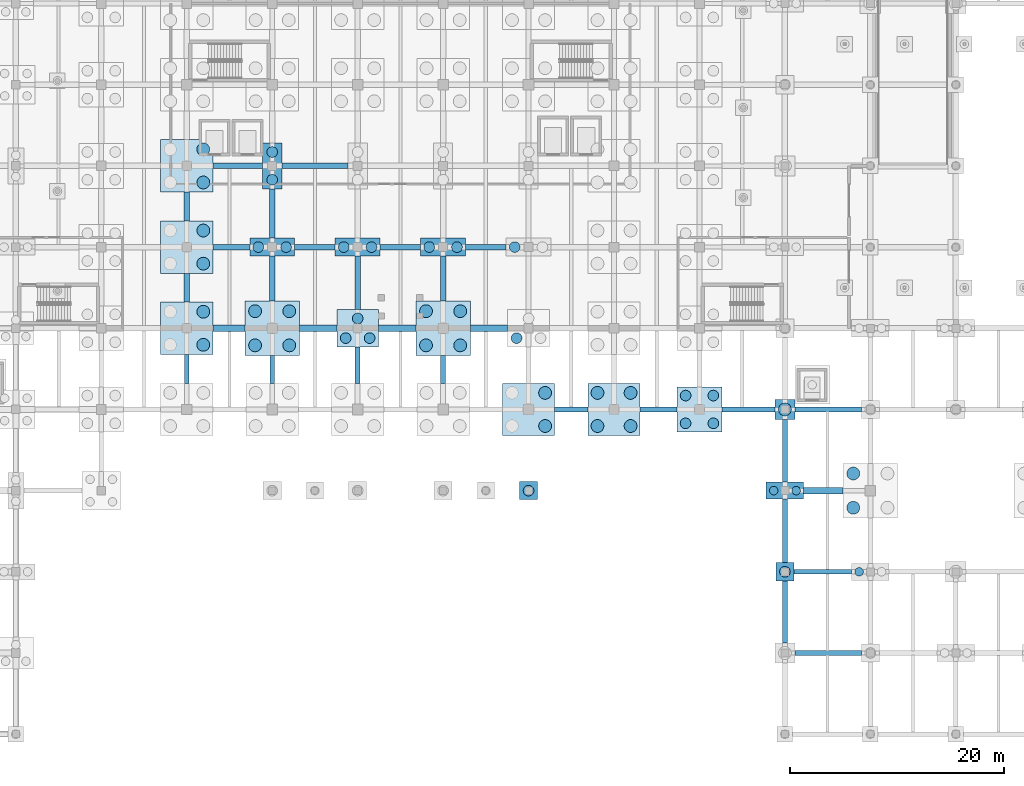
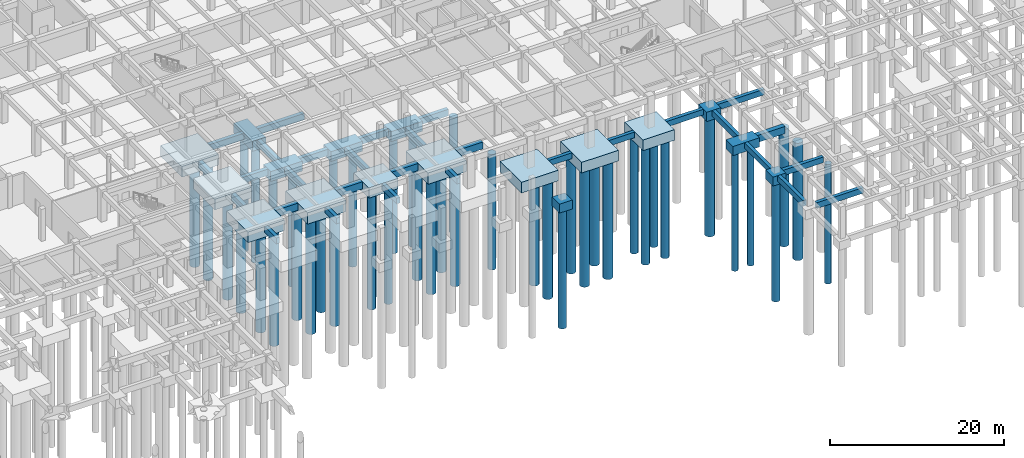
# One storey, part 5 of 49: 47 footings, 45 piles.
"""IFC4 building model written with IfcOpenShell, lengths in metres."""

import ifcopenshell
import ifcopenshell.guid

model = None  # the IFC model being written
_history = None  # IfcOwnerHistory: only IFC2X3 demands one
_inside = {}  # id of a spatial element -> (the spatial element, [elements in it])
_under = {}  # id of a project, library or spatial element -> (it, [spatial elements below it])
_declared = {}  # id of a project -> (the project, [libraries it declares])
_typed = {}  # id of a type object -> (the type object, [elements of that type])
_made_of = {}  # id of a material, layer set ... -> (it, [elements and type objects made of it])


def new_model(schema):
    """Start an empty IFC model of exactly this schema.

    Asked for "IFC4X3", IfcOpenShell would pick the latest addendum, in which some entities
    have other attributes; the version numbers below select the first issue.
    IFC2X3 requires an IfcOwnerHistory on every rooted entity: one is made here for all.
    """
    global model, _history
    if schema == "IFC4X3":
        model = ifcopenshell.file(schema_version=(4, 3, 0, 0))
    else:
        model = ifcopenshell.file(schema=schema)
    _inside.clear()
    _under.clear()
    _declared.clear()
    _typed.clear()
    _made_of.clear()
    _history = None
    if model.schema == "IFC2X3":
        org = make("IfcOrganization", Name="unknown")
        user = make(
            "IfcPersonAndOrganization",
            ThePerson=make("IfcPerson", FamilyName="unknown"),
            TheOrganization=org,
        )
        app = make(
            "IfcApplication",
            ApplicationDeveloper=org,
            Version="unknown",
            ApplicationFullName="unknown",
            ApplicationIdentifier="unknown",
        )
        _history = make(
            "IfcOwnerHistory",
            OwningUser=user,
            OwningApplication=app,
            ChangeAction="ADDED",
            CreationDate=0,
        )
    return model


def make(cls, **values):
    """One entity of the class cls with the attributes given. An attribute that is None is left unset."""
    return model.create_entity(
        cls, **{name: value for name, value in values.items() if value is not None}
    )


def rooted(cls, **values):
    """An entity with a GlobalId (a new one), such as an element, a storey or a relation."""
    return make(cls, GlobalId=ifcopenshell.guid.new(), OwnerHistory=_history, **values)


def si_unit(unit_type, name, prefix=None):
    """IfcSIUnit, for example si_unit("LENGTHUNIT", "METRE", prefix="MILLI")."""
    return make("IfcSIUnit", UnitType=unit_type, Prefix=prefix, Name=name)


def assignment(units):
    """IfcUnitAssignment: the units of a project."""
    return None if units is None else make("IfcUnitAssignment", Units=units)


def point(xyz):
    """IfcCartesianPoint."""
    return None if xyz is None else make("IfcCartesianPoint", Coordinates=xyz)


def direction(xyz):
    """IfcDirection."""
    return None if xyz is None else make("IfcDirection", DirectionRatios=xyz)


def frame(location, z_axis=None, x_axis=None):
    """IfcAxis2Placement3D, a coordinate frame: its origin and axes. An axis left out is left unset."""
    return make(
        "IfcAxis2Placement3D",
        Location=point(location),
        Axis=direction(z_axis),
        RefDirection=direction(x_axis),
    )


def frame_2d(location, x_axis=None):
    """IfcAxis2Placement2D, a coordinate frame in the plane: its origin and x axis."""
    return make(
        "IfcAxis2Placement2D", Location=point(location), RefDirection=direction(x_axis)
    )


def origin():
    """The frame at (0, 0, 0) with its axes left unset."""
    return frame((0.0, 0.0, 0.0))


def origin_2d():
    """The frame at (0, 0) in the plane with its x axis left unset."""
    return frame_2d((0.0, 0.0))


def place(relative_to, where):
    """IfcLocalPlacement: puts the frame where relative to a parent placement (None: the world)."""
    return make(
        "IfcLocalPlacement", PlacementRelTo=relative_to, RelativePlacement=where
    )


def context(
    kind, dimensions, precision=None, world=None, true_north=None, identifier=None
):
    """IfcGeometricRepresentationContext, for example the 3D "Model" context."""
    return make(
        "IfcGeometricRepresentationContext",
        ContextIdentifier=identifier,
        ContextType=kind,
        CoordinateSpaceDimension=dimensions,
        Precision=precision,
        WorldCoordinateSystem=world,
        TrueNorth=true_north,
    )


def subcontext(parent, identifier, kind, view, scale=None):
    """IfcGeometricRepresentationSubContext, for example "Body" below "Model"."""
    return make(
        "IfcGeometricRepresentationSubContext",
        ContextIdentifier=identifier,
        ContextType=kind,
        ParentContext=parent,
        TargetScale=scale,
        TargetView=view,
    )


def project(units=None, contexts=None):
    """IfcProject with its units and contexts."""
    return rooted(
        "IfcProject",
        Name="project",
        RepresentationContexts=contexts,
        UnitsInContext=assignment(units),
    )


def spatial(cls, under=None, at=None, **own):
    """A site, building, storey or space (cls), placed at a placement, below another one or the project."""
    s = rooted(cls, ObjectPlacement=at, **own)
    if under is not None:
        _under.setdefault(under.id(), (under, []))[1].append(s)
    return s


def profile(cls, at=None, kind="AREA", **sizes):
    """A parametric profile (cls). Its sizes go by their IFC names, for example OverallWidth=200.0."""
    return make(cls, ProfileType=kind, Position=at, **sizes)


def rectangle(**sizes):
    """IfcRectangleProfileDef."""
    return profile("IfcRectangleProfileDef", **sizes)


def circle(**sizes):
    """IfcCircleProfileDef."""
    return profile("IfcCircleProfileDef", **sizes)


def extrude(swept, where, along, depth):
    """IfcExtrudedAreaSolid: the profile swept, set in the frame where, extruded along a direction by depth."""
    return make(
        "IfcExtrudedAreaSolid",
        SweptArea=swept,
        Position=where,
        ExtrudedDirection=direction(along),
        Depth=depth,
    )


def shape(context_of_items, identifier, shape_type, items):
    """IfcShapeRepresentation: the items that make up one representation, for example the "Body"."""
    return make(
        "IfcShapeRepresentation",
        ContextOfItems=context_of_items,
        RepresentationIdentifier=identifier,
        RepresentationType=shape_type,
        Items=items,
    )


def material(Name=None, Category=None):
    """IfcMaterial."""
    return make("IfcMaterial", Name=Name, Category=Category)


def layer(
    of_material, thickness, ventilated=None, Name=None, Category=None, Priority=None
):
    """IfcMaterialLayer: one layer of a wall or slab, of a material (None: an air gap)."""
    return make(
        "IfcMaterialLayer",
        Material=of_material,
        LayerThickness=thickness,
        IsVentilated=ventilated,
        Name=Name,
        Category=Category,
        Priority=Priority,
    )


def layer_set(layers, Name=None):
    """IfcMaterialLayerSet."""
    return make("IfcMaterialLayerSet", MaterialLayers=layers, LayerSetName=Name)


def material_profile(
    of_material, cross_section, Name=None, Category=None, Priority=None
):
    """IfcMaterialProfile: a cross section and its material."""
    return make(
        "IfcMaterialProfile",
        Name=Name,
        Material=of_material,
        Profile=cross_section,
        Priority=Priority,
        Category=Category,
    )


def profile_set(profiles, Name=None, composite=None):
    """IfcMaterialProfileSet."""
    return make(
        "IfcMaterialProfileSet",
        Name=Name,
        MaterialProfiles=profiles,
        CompositeProfile=composite,
    )


def made_of(thing, what):
    """Note that an element or type object is made of a material, layer set ...; save() writes the relation."""
    if what is not None:
        _made_of.setdefault(what.id(), (what, []))[1].append(thing)
    return thing


def type_object(cls, material=None, **own):
    """A type object (cls), such as IfcWallType, which elements share."""
    return made_of(rooted(cls, **own), material)


def element(
    cls,
    number,
    at=None,
    inside=None,
    cuts=None,
    type_object=None,
    material=None,
    context=None,
    identifier="Body",
    shape_type=None,
    held_by="IfcProductDefinitionShape",
    body=None,
    shapes=None,
    **own,
):
    """One element of the class cls, such as IfcWall. Its Tag is "e" and its number.

    at: its placement. inside: the storey or other place that contains it. cuts: it is an
    opening in that element (IfcRelVoidsElement). A single representation is given by context,
    identifier, shape_type and body (its items); several are given by shapes. held_by: the class
    of the entity that holds the representations. save() writes the other relations.
    """
    e = rooted(cls, Tag="e%d" % number, ObjectPlacement=at, **own)
    if body is not None:
        shapes = [shape(context, identifier, shape_type, body)]
    if shapes is not None:
        e.Representation = make(held_by, Representations=shapes)
    if inside is not None:
        _inside.setdefault(inside.id(), (inside, []))[1].append(e)
    if cuts is not None:
        rooted(
            "IfcRelVoidsElement", RelatingBuildingElement=cuts, RelatedOpeningElement=e
        )
    if type_object is not None:
        _typed.setdefault(type_object.id(), (type_object, []))[1].append(e)
    return made_of(e, material)


def aggregate(whole, parts):
    """IfcRelAggregates: a whole, such as a stair, and the parts it consists of."""
    return rooted("IfcRelAggregates", RelatingObject=whole, RelatedObjects=parts)


def save(model, path):
    """Write the relations noted so far, then the file.

    IfcRelAggregates (storeys below a building ...), IfcRelContainedInSpatialStructure (elements
    in a storey), IfcRelDefinesByType, IfcRelAssociatesMaterial and IfcRelDeclares: one each for
    every whole, place, type object, material and project.
    """
    for whole, parts in _under.values():
        aggregate(whole, parts)
    for where, things in _inside.values():
        rooted(
            "IfcRelContainedInSpatialStructure",
            RelatedElements=things,
            RelatingStructure=where,
        )
    for kind, things in _typed.values():
        rooted("IfcRelDefinesByType", RelatedObjects=things, RelatingType=kind)
    for what, things in _made_of.values():
        rooted("IfcRelAssociatesMaterial", RelatedObjects=things, RelatingMaterial=what)
    for by, libraries in _declared.values():
        rooted("IfcRelDeclares", RelatingContext=by, RelatedDefinitions=libraries)
    model.write(path)


model = new_model("IFC4")

# Units and contexts
model_context = context("Model", 3, precision=1e-05, world=origin(), true_north=direction((0.0, 1.0)))
body_context = subcontext(model_context, "Body", "Model", "MODEL_VIEW")
ifc_project = project(units=[si_unit("LENGTHUNIT", "METRE"), si_unit("AREAUNIT", "SQUARE_METRE"), si_unit("VOLUMEUNIT", "CUBIC_METRE"), si_unit("PLANEANGLEUNIT", "RADIAN"), si_unit("MASSUNIT", "GRAM", prefix="KILO")], contexts=[model_context])

# Site, building, storey
site_placement = place(None, origin())
site = spatial("IfcSite", under=ifc_project, at=site_placement, CompositionType="ELEMENT")
building_placement = place(site_placement, origin())
building = spatial("IfcBuilding", under=site, at=building_placement, Name="Zantavel Square City Hall", CompositionType="ELEMENT")
storey_placement = place(building_placement, frame((0.0, 0.0, -4.5)))
storey = spatial("IfcBuildingStorey", under=building, at=storey_placement, Name="B1", CompositionType="ELEMENT", Elevation=-4.5)

# Piles
ifc_material_1 = material(Name="Concrete C35/45", Category="concrete")
ifc_material_profile_1 = material_profile(ifc_material_1, circle(Radius=0.5, at=origin_2d()), Name="PILE D1000")
ifc_profile_set_1 = profile_set([ifc_material_profile_1], Name="Concrete C35/45")
pile_type_1 = type_object("IfcPileType", Name="Bored Pile D1000 Concrete C35/45", PredefinedType="BORED", material=ifc_profile_set_1)
for number, where, z_axis, x_axis, name in (
    (1, (70.699951171875, 45.60009765625, -1.699951171875), (0.0, 0.0, -1.0), (1.0, 0.0, 0.0), "Bored Pile FDN-PL-0720-0456-1"),
    (2, (73.300048828125, 45.60009765625, -1.699951171875), (0.0, 0.0, -1.0), (1.0, 0.0, 0.0), "Bored Pile FDN-PL-0720-0456-2"),
    (3, (72.0, 51.89990234375, -1.699951171875), (0.0, 0.0, -1.0), (1.0, 0.0, 0.0), "Bored Pile FDN-PL-0720-0532-1"),
    (4, (72.0, 54.5, -1.699951171875), (0.0, 0.0, -1.0), (1.0, 0.0, 0.0), "Bored Pile FDN-PL-0720-0532-2"),
):
    element("IfcPile", number, at=place(storey_placement, frame(where, z_axis=z_axis, x_axis=x_axis)), inside=storey, type_object=pile_type_1, Name=name, PredefinedType="BORED", context=body_context, shape_type="SweptSolid", body=[
        extrude(circle(Radius=0.5, at=origin_2d()), origin(), (0.0, 0.0, 1.0), 16.300048828125),
    ])
for number, where, z_axis, x_axis, name in (
    (5, (78.8798828125, 37.080078125, -1.75), (0.0, 0.0, -1.0), (1.0, 0.0, 0.0), "Bored Pile FDN-PL-0800-0380-1"),
    (6, (81.1201171875, 37.080078125, -1.75), (0.0, 0.0, -1.0), (1.0, 0.0, 0.0), "Bored Pile FDN-PL-0800-0380-2"),
    (7, (80.0, 38.919921875, -1.75), (0.0, 0.0, -1.0), (1.0, 0.0, 0.0), "Bored Pile FDN-PL-0800-0380-3"),
):
    element("IfcPile", number, at=place(storey_placement, frame(where, z_axis=z_axis, x_axis=x_axis)), inside=storey, type_object=pile_type_1, Name=name, PredefinedType="BORED", context=body_context, shape_type="SweptSolid", body=[
        extrude(circle(Radius=0.5, at=origin_2d()), origin(), (0.0, 0.0, 1.0), 16.25),
    ])
for number, where, z_axis, x_axis, name in (
    (8, (78.699951171875, 45.60009765625, -1.699951171875), (0.0, 0.0, -1.0), (1.0, 0.0, 0.0), "Bored Pile FDN-PL-0800-0456-1"),
    (9, (81.300048828125, 45.60009765625, -1.699951171875), (0.0, 0.0, -1.0), (1.0, 0.0, 0.0), "Bored Pile FDN-PL-0800-0456-2"),
    (10, (86.699951171875, 45.60009765625, -1.699951171875), (0.0, 0.0, -1.0), (1.0, 0.0, 0.0), "Bored Pile FDN-PL-0880-0456-1"),
    (11, (89.300048828125, 45.60009765625, -1.699951171875), (0.0, 0.0, -1.0), (1.0, 0.0, 0.0), "Bored Pile FDN-PL-0880-0456-2"),
):
    element("IfcPile", number, at=place(storey_placement, frame(where, z_axis=z_axis, x_axis=x_axis)), inside=storey, type_object=pile_type_1, Name=name, PredefinedType="BORED", context=body_context, shape_type="SweptSolid", body=[
        extrude(circle(Radius=0.5, at=origin_2d()), origin(), (0.0, 0.0, 1.0), 16.300048828125),
    ])
pile_1_placement = place(storey_placement, frame((94.8798828125, 37.080078125, -1.75), z_axis=(0.0, 0.0, -1.0), x_axis=(1.0, 0.0, 0.0)))
element("IfcPile", 12, at=pile_1_placement, inside=storey, type_object=pile_type_1, Name="Bored Pile FDN-PL-0960-0380-1", PredefinedType="BORED", context=body_context, shape_type="SweptSolid", body=[
    extrude(circle(Radius=0.5, at=origin_2d()), origin(), (0.0, 0.0, 1.0), 16.25),
])
pile_2_placement = place(storey_placement, frame((94.699951171875, 45.60009765625, -1.699951171875), z_axis=(0.0, 0.0, -1.0), x_axis=(1.0, 0.0, 0.0)))
element("IfcPile", 13, at=pile_2_placement, inside=storey, type_object=pile_type_1, Name="Bored Pile FDN-PL-0960-0456-1", PredefinedType="BORED", context=body_context, shape_type="SweptSolid", body=[
    extrude(circle(Radius=0.5, at=origin_2d()), origin(), (0.0, 0.0, 1.0), 16.300048828125),
])
for number, where, z_axis, x_axis, name in (
    (14, (110.699951171875, 29.10009765625, -1.39990234375), (0.0, 0.0, -1.0), (1.0, 0.0, 0.0), "Bored Pile FDN-PL-1120-0304-1"),
    (15, (113.300048828125, 29.10009765625, -1.39990234375), (0.0, 0.0, -1.0), (1.0, 0.0, 0.0), "Bored Pile FDN-PL-1120-0304-2"),
    (16, (110.699951171875, 31.699951171875, -1.39990234375), (0.0, 0.0, -1.0), (1.0, 0.0, 0.0), "Bored Pile FDN-PL-1120-0304-3"),
    (17, (113.300048828125, 31.699951171875, -1.39990234375), (0.0, 0.0, -1.0), (1.0, 0.0, 0.0), "Bored Pile FDN-PL-1120-0304-4"),
):
    element("IfcPile", number, at=place(storey_placement, frame(where, z_axis=z_axis, x_axis=x_axis)), inside=storey, type_object=pile_type_1, Name=name, PredefinedType="BORED", context=body_context, shape_type="SweptSolid", body=[
        extrude(circle(Radius=0.5, at=origin_2d()), origin(), (0.0, 0.0, 1.0), 16.60009765625),
    ])
for number, where, z_axis, x_axis, name in (
    (18, (120.0, 15.199951171875, -1.14990234375), (0.0, 0.0, -1.0), (1.0, 0.0, 0.0), "Bored Pile FDN-PL-1200-0152-1"),
    (19, (96.0, 22.800048828125, -1.14990234375), (0.0, 0.0, -1.0), (1.0, 0.0, 0.0), "Canopy Bored Pile 96"),
):
    element("IfcPile", number, at=place(storey_placement, frame(where, z_axis=z_axis, x_axis=x_axis)), inside=storey, type_object=pile_type_1, Name=name, PredefinedType="BORED", context=body_context, shape_type="SweptSolid", body=[
        extrude(circle(Radius=0.5, at=origin_2d()), origin(), (0.0, 0.0, 1.0), 16.85009765625),
    ])
ifc_material_profile_2 = material_profile(ifc_material_1, circle(Radius=0.60009765625, at=origin_2d()), Name="PILE D1200")
ifc_profile_set_2 = profile_set([ifc_material_profile_2], Name="Concrete C35/45")
pile_type_2 = type_object("IfcPileType", Name="Bored Pile D1200 Concrete C35/45", PredefinedType="BORED", material=ifc_profile_set_2)
for number, where, z_axis, x_axis, name in (
    (20, (65.550048828125, 36.449951171875, -1.800048828125), (0.0, 0.0, -1.0), (1.0, 0.0, 0.0), "Bored Pile FDN-PL-0640-0380-2"),
    (21, (65.550048828125, 39.550048828125, -1.800048828125), (0.0, 0.0, -1.0), (1.0, 0.0, 0.0), "Bored Pile FDN-PL-0640-0380-4"),
    (22, (65.550048828125, 44.050048828125, -1.800048828125), (0.0, 0.0, -1.0), (1.0, 0.0, 0.0), "Bored Pile FDN-PL-0640-0456-2"),
    (23, (65.550048828125, 47.14990234375, -1.800048828125), (0.0, 0.0, -1.0), (1.0, 0.0, 0.0), "Bored Pile FDN-PL-0640-0456-4"),
    (24, (65.550048828125, 51.64990234375, -1.800048828125), (0.0, 0.0, -1.0), (1.0, 0.0, 0.0), "Bored Pile FDN-PL-0640-0532-2"),
    (25, (65.550048828125, 54.75, -1.800048828125), (0.0, 0.0, -1.0), (1.0, 0.0, 0.0), "Bored Pile FDN-PL-0640-0532-4"),
):
    element("IfcPile", number, at=place(storey_placement, frame(where, z_axis=z_axis, x_axis=x_axis)), inside=storey, type_object=pile_type_2, Name=name, PredefinedType="BORED", context=body_context, shape_type="SweptSolid", body=[
        extrude(circle(Radius=0.60009765625, at=origin_2d()), origin(), (0.0, 0.0, 1.0), 16.199951171875),
    ])
for number, where, z_axis, x_axis, name in (
    (26, (70.39990234375, 36.39990234375, -1.89990234375), (0.0, 0.0, -1.0), (1.0, 0.0, 0.0), "Bored Pile FDN-PL-0720-0380-1"),
    (27, (73.60009765625, 36.39990234375, -1.89990234375), (0.0, 0.0, -1.0), (1.0, 0.0, 0.0), "Bored Pile FDN-PL-0720-0380-2"),
    (28, (70.39990234375, 39.60009765625, -1.89990234375), (0.0, 0.0, -1.0), (1.0, 0.0, 0.0), "Bored Pile FDN-PL-0720-0380-3"),
    (29, (73.60009765625, 39.60009765625, -1.89990234375), (0.0, 0.0, -1.0), (1.0, 0.0, 0.0), "Bored Pile FDN-PL-0720-0380-4"),
    (30, (86.39990234375, 36.39990234375, -1.89990234375), (0.0, 0.0, -1.0), (1.0, 0.0, 0.0), "Bored Pile FDN-PL-0880-0380-1"),
    (31, (89.60009765625, 36.39990234375, -1.89990234375), (0.0, 0.0, -1.0), (1.0, 0.0, 0.0), "Bored Pile FDN-PL-0880-0380-2"),
    (32, (86.39990234375, 39.60009765625, -1.89990234375), (0.0, 0.0, -1.0), (1.0, 0.0, 0.0), "Bored Pile FDN-PL-0880-0380-3"),
    (33, (89.60009765625, 39.60009765625, -1.89990234375), (0.0, 0.0, -1.0), (1.0, 0.0, 0.0), "Bored Pile FDN-PL-0880-0380-4"),
):
    element("IfcPile", number, at=place(storey_placement, frame(where, z_axis=z_axis, x_axis=x_axis)), inside=storey, type_object=pile_type_2, Name=name, PredefinedType="BORED", context=body_context, shape_type="SweptSolid", body=[
        extrude(circle(Radius=0.60009765625, at=origin_2d()), origin(), (0.0, 0.0, 1.0), 16.10009765625),
    ])
for number, where, z_axis, x_axis, name in (
    (34, (97.550048828125, 28.85009765625, -1.39990234375), (0.0, 0.0, -1.0), (1.0, 0.0, 0.0), "Bored Pile FDN-PL-0960-0304-2"),
    (35, (97.550048828125, 31.949951171875, -1.39990234375), (0.0, 0.0, -1.0), (1.0, 0.0, 0.0), "Bored Pile FDN-PL-0960-0304-4"),
    (36, (102.449951171875, 28.85009765625, -1.39990234375), (0.0, 0.0, -1.0), (1.0, 0.0, 0.0), "Bored Pile FDN-PL-1040-0304-1"),
    (37, (105.550048828125, 28.85009765625, -1.39990234375), (0.0, 0.0, -1.0), (1.0, 0.0, 0.0), "Bored Pile FDN-PL-1040-0304-2"),
    (38, (102.449951171875, 31.949951171875, -1.39990234375), (0.0, 0.0, -1.0), (1.0, 0.0, 0.0), "Bored Pile FDN-PL-1040-0304-3"),
    (39, (105.550048828125, 31.949951171875, -1.39990234375), (0.0, 0.0, -1.0), (1.0, 0.0, 0.0), "Bored Pile FDN-PL-1040-0304-4"),
):
    element("IfcPile", number, at=place(storey_placement, frame(where, z_axis=z_axis, x_axis=x_axis)), inside=storey, type_object=pile_type_2, Name=name, PredefinedType="BORED", context=body_context, shape_type="SweptSolid", body=[
        extrude(circle(Radius=0.60009765625, at=origin_2d()), origin(), (0.0, 0.0, 1.0), 16.60009765625),
    ])
pile_3_placement = place(storey_placement, frame((120.0, 30.39990234375, -1.199951171875), z_axis=(0.0, 0.0, -1.0), x_axis=(1.0, 0.0, 0.0)))
element("IfcPile", 40, at=pile_3_placement, inside=storey, type_object=pile_type_2, Name="Bored Pile FDN-PL-1200-0304-1", PredefinedType="BORED", context=body_context, shape_type="SweptSolid", body=[
    extrude(circle(Radius=0.60009765625, at=origin_2d()), origin(), (0.0, 0.0, 1.0), 16.800048828125),
])
for number, where, z_axis, x_axis, name in (
    (41, (126.39990234375, 21.199951171875, -1.5), (0.0, 0.0, -1.0), (1.0, 0.0, 0.0), "Bored Pile FDN-PL-1280-0228-1"),
    (42, (126.39990234375, 24.39990234375, -1.5), (0.0, 0.0, -1.0), (1.0, 0.0, 0.0), "Bored Pile FDN-PL-1280-0228-3"),
):
    element("IfcPile", number, at=place(storey_placement, frame(where, z_axis=z_axis, x_axis=x_axis)), inside=storey, type_object=pile_type_2, Name=name, PredefinedType="BORED", context=body_context, shape_type="SweptSolid", body=[
        extrude(circle(Radius=0.60009765625, at=origin_2d()), origin(), (0.0, 0.0, 1.0), 16.5),
    ])
ifc_material_profile_3 = material_profile(ifc_material_1, circle(Radius=0.39990234375, at=origin_2d()), Name="PILE D800")
ifc_profile_set_3 = profile_set([ifc_material_profile_3], Name="Concrete C35/45")
pile_type_3 = type_object("IfcPileType", Name="Bored Pile D800 Concrete C35/45", PredefinedType="BORED", material=ifc_profile_set_3)
for number, where, z_axis, x_axis, name in (
    (43, (118.949951171875, 22.800048828125, -1.199951171875), (0.0, 0.0, -1.0), (1.0, 0.0, 0.0), "Bored Pile FDN-PL-1200-0228-1"),
    (44, (121.050048828125, 22.800048828125, -1.199951171875), (0.0, 0.0, -1.0), (1.0, 0.0, 0.0), "Bored Pile FDN-PL-1200-0228-2"),
    (45, (126.949951171875, 15.199951171875, -1.199951171875), (0.0, 0.0, -1.0), (1.0, 0.0, 0.0), "Bored Pile FDN-PL-1280-0152-1"),
):
    element("IfcPile", number, at=place(storey_placement, frame(where, z_axis=z_axis, x_axis=x_axis)), inside=storey, type_object=pile_type_3, Name=name, PredefinedType="BORED", context=body_context, shape_type="SweptSolid", body=[
        extrude(circle(Radius=0.39990234375, at=origin_2d()), origin(), (0.0, 0.0, 1.0), 16.800048828125),
    ])

# Footings
ifc_material_profile_4 = material_profile(ifc_material_1, rectangle(XDim=0.449951171875, YDim=0.800048828125, at=origin_2d()), Name="RC 450x800")
ifc_profile_set_4 = profile_set([ifc_material_profile_4], Name="Concrete C35/45")
footing_type_1 = type_object("IfcFootingType", Name="Courtyard Grade Tie Beam 450x800 C35/45", PredefinedType="FOOTING_BEAM", material=ifc_profile_set_4)
footing_1_placement = place(storey_placement, frame((64.0, 32.85009765625, -0.800048828125), z_axis=(0.0, 1.0, 0.0), x_axis=(-1.0, 0.0, 0.0)))
element("IfcFooting", 46, at=footing_1_placement, inside=storey, type_object=footing_type_1, Name="Grade Tie Beam FDN-GTBY-0640-0304", PredefinedType="FOOTING_BEAM", context=body_context, shape_type="SweptSolid", body=[
    extrude(rectangle(XDim=0.449951171875, YDim=0.800048828125, at=origin_2d()), origin(), (0.0, 0.0, 1.0), 2.699951171875),
])
footing_2_placement = place(storey_placement, frame((72.0, 32.85009765625, -0.800048828125), z_axis=(0.0, 1.0, 0.0), x_axis=(-1.0, 0.0, 0.0)))
element("IfcFooting", 47, at=footing_2_placement, inside=storey, type_object=footing_type_1, Name="Grade Tie Beam FDN-GTBY-0720-0304", PredefinedType="FOOTING_BEAM", context=body_context, shape_type="SweptSolid", body=[
    extrude(rectangle(XDim=0.449951171875, YDim=0.800048828125, at=origin_2d()), origin(), (0.0, 0.0, 1.0), 2.599853515625),
])
footing_3_placement = place(storey_placement, frame((80.0, 32.85009765625, -0.800048828125), z_axis=(0.0, 1.0, 0.0), x_axis=(-1.0, 0.0, 0.0)))
element("IfcFooting", 48, at=footing_3_placement, inside=storey, type_object=footing_type_1, Name="Grade Tie Beam FDN-GTBY-0800-0304", PredefinedType="FOOTING_BEAM", context=body_context, shape_type="SweptSolid", body=[
    extrude(rectangle(XDim=0.449951171875, YDim=0.800048828125, at=origin_2d()), origin(), (0.0, 0.0, 1.0), 3.39990234375),
])
footing_4_placement = place(storey_placement, frame((88.0, 32.85009765625, -0.800048828125), z_axis=(0.0, 1.0, 0.0), x_axis=(-1.0, 0.0, 0.0)))
element("IfcFooting", 49, at=footing_4_placement, inside=storey, type_object=footing_type_1, Name="Grade Tie Beam FDN-GTBY-0880-0304", PredefinedType="FOOTING_BEAM", context=body_context, shape_type="SweptSolid", body=[
    extrude(rectangle(XDim=0.449951171875, YDim=0.800048828125, at=origin_2d()), origin(), (0.0, 0.0, 1.0), 2.599853515625),
])
footing_5_placement = place(storey_placement, frame((98.449951171875, 30.39990234375, -0.39990234375), z_axis=(1.0, 0.0, 0.0), x_axis=(0.0, 1.0, 0.0)))
element("IfcFooting", 50, at=footing_5_placement, inside=storey, type_object=footing_type_1, Name="Grade Tie Beam FDN-GTBX-0960-0304", PredefinedType="FOOTING_BEAM", context=body_context, shape_type="SweptSolid", body=[
    extrude(rectangle(XDim=0.449951171875, YDim=0.800048828125, at=origin_2d()), origin(), (0.0, 0.0, 1.0), 3.10009765625),
])
footing_6_placement = place(storey_placement, frame((106.449951171875, 30.39990234375, -0.39990234375), z_axis=(1.0, 0.0, 0.0), x_axis=(0.0, 1.0, 0.0)))
element("IfcFooting", 51, at=footing_6_placement, inside=storey, type_object=footing_type_1, Name="Grade Tie Beam FDN-GTBX-1040-0304", PredefinedType="FOOTING_BEAM", context=body_context, shape_type="SweptSolid", body=[
    extrude(rectangle(XDim=0.449951171875, YDim=0.800048828125, at=origin_2d()), origin(), (0.0, 0.0, 1.0), 3.449951171875),
])
footing_7_placement = place(storey_placement, frame((114.10009765625, 30.39990234375, -0.39990234375), z_axis=(1.0, 0.0, 0.0), x_axis=(0.0, 1.0, 0.0)))
element("IfcFooting", 52, at=footing_7_placement, inside=storey, type_object=footing_type_1, Name="Grade Tie Beam FDN-GTBX-1120-0304", PredefinedType="FOOTING_BEAM", context=body_context, shape_type="SweptSolid", body=[
    extrude(rectangle(XDim=0.449951171875, YDim=0.800048828125, at=origin_2d()), origin(), (0.0, 0.0, 1.0), 4.949951171875),
])
footing_8_placement = place(storey_placement, frame((120.949951171875, 7.60009765625, -0.39990234375), z_axis=(1.0, 0.0, 0.0), x_axis=(0.0, 1.0, 0.0)))
element("IfcFooting", 53, at=footing_8_placement, inside=storey, type_object=footing_type_1, Name="Grade Tie Beam FDN-GTBX-1200-0076", PredefinedType="FOOTING_BEAM", context=body_context, shape_type="SweptSolid", body=[
    extrude(rectangle(XDim=0.449951171875, YDim=0.800048828125, at=origin_2d()), origin(), (0.0, 0.0, 1.0), 6.199951171875),
])
footing_9_placement = place(storey_placement, frame((120.0, 8.550048828125, -0.39990234375), z_axis=(0.0, 1.0, 0.0), x_axis=(-1.0, 0.0, 0.0)))
element("IfcFooting", 54, at=footing_9_placement, inside=storey, type_object=footing_type_1, Name="Grade Tie Beam FDN-GTBY-1200-0076", PredefinedType="FOOTING_BEAM", context=body_context, shape_type="SweptSolid", body=[
    extrude(rectangle(XDim=0.449951171875, YDim=0.800048828125, at=origin_2d()), origin(), (0.0, 0.0, 1.0), 5.800048828125),
])
footing_10_placement = place(storey_placement, frame((120.85009765625, 15.199951171875, -0.39990234375), z_axis=(1.0, 0.0, 0.0), x_axis=(0.0, 1.0, 0.0)))
element("IfcFooting", 55, at=footing_10_placement, inside=storey, type_object=footing_type_1, Name="Grade Tie Beam FDN-GTBX-1200-0152", PredefinedType="FOOTING_BEAM", context=body_context, shape_type="SweptSolid", body=[
    extrude(rectangle(XDim=0.449951171875, YDim=0.800048828125, at=origin_2d()), origin(), (0.0, 0.0, 1.0), 5.39990234375),
])
footing_11_placement = place(storey_placement, frame((120.0, 16.050048828125, -0.39990234375), z_axis=(0.0, 1.0, 0.0), x_axis=(-1.0, 0.0, 0.0)))
element("IfcFooting", 56, at=footing_11_placement, inside=storey, type_object=footing_type_1, Name="Grade Tie Beam FDN-GTBY-1200-0152", PredefinedType="FOOTING_BEAM", context=body_context, shape_type="SweptSolid", body=[
    extrude(rectangle(XDim=0.449951171875, YDim=0.800048828125, at=origin_2d()), origin(), (0.0, 0.0, 1.0), 5.949951171875),
])
footing_12_placement = place(storey_placement, frame((120.0, 23.60009765625, -0.39990234375), z_axis=(0.0, 1.0, 0.0), x_axis=(-1.0, 0.0, 0.0)))
element("IfcFooting", 57, at=footing_12_placement, inside=storey, type_object=footing_type_1, Name="Grade Tie Beam FDN-GTBY-1200-0228", PredefinedType="FOOTING_BEAM", context=body_context, shape_type="SweptSolid", body=[
    extrude(rectangle(XDim=0.449951171875, YDim=0.800048828125, at=origin_2d()), origin(), (0.0, 0.0, 1.0), 5.849853515625),
])
footing_13_placement = place(storey_placement, frame((120.949951171875, 30.39990234375, -0.39990234375), z_axis=(1.0, 0.0, 0.0), x_axis=(0.0, 1.0, 0.0)))
element("IfcFooting", 58, at=footing_13_placement, inside=storey, type_object=footing_type_1, Name="Grade Tie Beam FDN-GTBX-1200-0304", PredefinedType="FOOTING_BEAM", context=body_context, shape_type="SweptSolid", body=[
    extrude(rectangle(XDim=0.449951171875, YDim=0.800048828125, at=origin_2d()), origin(), (0.0, 0.0, 1.0), 6.199951171875),
])
ifc_material_profile_5 = material_profile(ifc_material_1, rectangle(XDim=0.5, YDim=0.89990234375, at=origin_2d()), Name="RC 500x900")
ifc_profile_set_5 = profile_set([ifc_material_profile_5], Name="Concrete C35/45")
footing_type_2 = type_object("IfcFootingType", Name="Grade Tie Beam 500x900 Concrete C35/45", PredefinedType="FOOTING_BEAM", material=ifc_profile_set_5)
footing_14_placement = place(storey_placement, frame((64.0, 40.449951171875, -0.85009765625), z_axis=(0.0, 1.0, 0.0), x_axis=(-1.0, 0.0, 0.0)))
element("IfcFooting", 59, at=footing_14_placement, inside=storey, type_object=footing_type_2, Name="Grade Tie Beam FDN-GTBY-0640-0380", PredefinedType="FOOTING_BEAM", context=body_context, shape_type="SweptSolid", body=[
    extrude(rectangle(XDim=0.5, YDim=0.89990234375, at=origin_2d()), origin(), (0.0, 0.0, 1.0), 2.699951171875),
])
footing_15_placement = place(storey_placement, frame((66.449951171875, 45.60009765625, -0.85009765625), z_axis=(1.0, 0.0, 0.0), x_axis=(0.0, 1.0, 0.0)))
element("IfcFooting", 60, at=footing_15_placement, inside=storey, type_object=footing_type_2, Name="Grade Tie Beam FDN-GTBX-0640-0456", PredefinedType="FOOTING_BEAM", context=body_context, shape_type="SweptSolid", body=[
    extrude(rectangle(XDim=0.5, YDim=0.89990234375, at=origin_2d()), origin(), (0.0, 0.0, 1.0), 3.449951171875),
])
footing_16_placement = place(storey_placement, frame((64.0, 48.050048828125, -0.85009765625), z_axis=(0.0, 1.0, 0.0), x_axis=(-1.0, 0.0, 0.0)))
element("IfcFooting", 61, at=footing_16_placement, inside=storey, type_object=footing_type_2, Name="Grade Tie Beam FDN-GTBY-0640-0456", PredefinedType="FOOTING_BEAM", context=body_context, shape_type="SweptSolid", body=[
    extrude(rectangle(XDim=0.5, YDim=0.89990234375, at=origin_2d()), origin(), (0.0, 0.0, 1.0), 2.699951171875),
])
footing_17_placement = place(storey_placement, frame((66.449951171875, 53.199951171875, -0.85009765625), z_axis=(1.0, 0.0, 0.0), x_axis=(0.0, 1.0, 0.0)))
element("IfcFooting", 62, at=footing_17_placement, inside=storey, type_object=footing_type_2, Name="Grade Tie Beam FDN-GTBX-0640-0532", PredefinedType="FOOTING_BEAM", context=body_context, shape_type="SweptSolid", body=[
    extrude(rectangle(XDim=0.5, YDim=0.89990234375, at=origin_2d()), origin(), (0.0, 0.0, 1.0), 4.650146484375),
])
footing_18_placement = place(storey_placement, frame((72.0, 40.550048828125, -0.85009765625), z_axis=(0.0, 1.0, 0.0), x_axis=(-1.0, 0.0, 0.0)))
element("IfcFooting", 63, at=footing_18_placement, inside=storey, type_object=footing_type_2, Name="Grade Tie Beam FDN-GTBY-0720-0380", PredefinedType="FOOTING_BEAM", context=body_context, shape_type="SweptSolid", body=[
    extrude(rectangle(XDim=0.5, YDim=0.89990234375, at=origin_2d()), origin(), (0.0, 0.0, 1.0), 4.199951171875),
])
footing_19_placement = place(storey_placement, frame((74.10009765625, 45.60009765625, -0.85009765625), z_axis=(1.0, 0.0, 0.0), x_axis=(0.0, 1.0, 0.0)))
element("IfcFooting", 64, at=footing_19_placement, inside=storey, type_object=footing_type_2, Name="Grade Tie Beam FDN-GTBX-0720-0456", PredefinedType="FOOTING_BEAM", context=body_context, shape_type="SweptSolid", body=[
    extrude(rectangle(XDim=0.5, YDim=0.89990234375, at=origin_2d()), origin(), (0.0, 0.0, 1.0), 3.7998046875),
])
footing_20_placement = place(storey_placement, frame((72.0, 46.449951171875, -0.85009765625), z_axis=(0.0, 1.0, 0.0), x_axis=(-1.0, 0.0, 0.0)))
element("IfcFooting", 65, at=footing_20_placement, inside=storey, type_object=footing_type_2, Name="Grade Tie Beam FDN-GTBY-0720-0456", PredefinedType="FOOTING_BEAM", context=body_context, shape_type="SweptSolid", body=[
    extrude(rectangle(XDim=0.5, YDim=0.89990234375, at=origin_2d()), origin(), (0.0, 0.0, 1.0), 4.60009765625),
])
footing_21_placement = place(storey_placement, frame((72.89990234375, 53.199951171875, -0.85009765625), z_axis=(1.0, 0.0, 0.0), x_axis=(0.0, 1.0, 0.0)))
element("IfcFooting", 66, at=footing_21_placement, inside=storey, type_object=footing_type_2, Name="Grade Tie Beam FDN-GTBX-0720-0532", PredefinedType="FOOTING_BEAM", context=body_context, shape_type="SweptSolid", body=[
    extrude(rectangle(XDim=0.5, YDim=0.89990234375, at=origin_2d()), origin(), (0.0, 0.0, 1.0), 6.2001953125),
])
footing_22_placement = place(storey_placement, frame((80.0, 39.75, -0.85009765625), z_axis=(0.0, 1.0, 0.0), x_axis=(-1.0, 0.0, 0.0)))
element("IfcFooting", 67, at=footing_22_placement, inside=storey, type_object=footing_type_2, Name="Grade Tie Beam FDN-GTBY-0800-0380", PredefinedType="FOOTING_BEAM", context=body_context, shape_type="SweptSolid", body=[
    extrude(rectangle(XDim=0.5, YDim=0.89990234375, at=origin_2d()), origin(), (0.0, 0.0, 1.0), 5.0),
])
footing_23_placement = place(storey_placement, frame((82.10009765625, 45.60009765625, -0.85009765625), z_axis=(1.0, 0.0, 0.0), x_axis=(0.0, 1.0, 0.0)))
element("IfcFooting", 68, at=footing_23_placement, inside=storey, type_object=footing_type_2, Name="Grade Tie Beam FDN-GTBX-0800-0456", PredefinedType="FOOTING_BEAM", context=body_context, shape_type="SweptSolid", body=[
    extrude(rectangle(XDim=0.5, YDim=0.89990234375, at=origin_2d()), origin(), (0.0, 0.0, 1.0), 3.7998046875),
])
footing_24_placement = place(storey_placement, frame((88.0, 40.550048828125, -0.85009765625), z_axis=(0.0, 1.0, 0.0), x_axis=(-1.0, 0.0, 0.0)))
element("IfcFooting", 69, at=footing_24_placement, inside=storey, type_object=footing_type_2, Name="Grade Tie Beam FDN-GTBY-0880-0380", PredefinedType="FOOTING_BEAM", context=body_context, shape_type="SweptSolid", body=[
    extrude(rectangle(XDim=0.5, YDim=0.89990234375, at=origin_2d()), origin(), (0.0, 0.0, 1.0), 4.199951171875),
])
footing_25_placement = place(storey_placement, frame((90.10009765625, 45.60009765625, -0.85009765625), z_axis=(1.0, 0.0, 0.0), x_axis=(0.0, 1.0, 0.0)))
element("IfcFooting", 70, at=footing_25_placement, inside=storey, type_object=footing_type_2, Name="Grade Tie Beam FDN-GTBX-0880-0456", PredefinedType="FOOTING_BEAM", context=body_context, shape_type="SweptSolid", body=[
    extrude(rectangle(XDim=0.5, YDim=0.89990234375, at=origin_2d()), origin(), (0.0, 0.0, 1.0), 3.7998046875),
])
ifc_material_2 = material(Name="Concrete C40/50", Category="concrete")
ifc_material_profile_6 = material_profile(ifc_material_2, rectangle(XDim=0.60009765625, YDim=1.0, at=origin_2d()), Name="RC 600x1000")
ifc_profile_set_6 = profile_set([ifc_material_profile_6], Name="Concrete C40/50")
footing_type_3 = type_object("IfcFootingType", Name="Heavy Perimeter Grade Tie Beam 600x1000 C40/50", PredefinedType="FOOTING_BEAM", material=ifc_profile_set_6)
footing_26_placement = place(storey_placement, frame((66.449951171875, 38.0, -0.89990234375), z_axis=(1.0, 0.0, 0.0), x_axis=(0.0, 1.0, 0.0)))
element("IfcFooting", 71, at=footing_26_placement, inside=storey, type_object=footing_type_3, Name="Grade Tie Beam FDN-GTBX-0640-0380", PredefinedType="FOOTING_BEAM", context=body_context, shape_type="SweptSolid", body=[
    extrude(rectangle(XDim=0.60009765625, YDim=1.0, at=origin_2d()), origin(), (0.0, 0.0, 1.0), 3.0),
])
for number, where, z_axis, x_axis, name in (
    (72, (74.550048828125, 38.0, -0.89990234375), (1.0, 0.0, 0.0), (0.0, 1.0, 0.0), "Grade Tie Beam FDN-GTBX-0720-0380"),
    (73, (81.949951171875, 38.0, -0.89990234375), (1.0, 0.0, 0.0), (0.0, 1.0, 0.0), "Grade Tie Beam FDN-GTBX-0800-0380"),
    (74, (90.550048828125, 38.0, -0.89990234375), (1.0, 0.0, 0.0), (0.0, 1.0, 0.0), "Grade Tie Beam FDN-GTBX-0880-0380"),
):
    element("IfcFooting", number, at=place(storey_placement, frame(where, z_axis=z_axis, x_axis=x_axis)), inside=storey, type_object=footing_type_3, Name=name, PredefinedType="FOOTING_BEAM", context=body_context, shape_type="SweptSolid", body=[
        extrude(rectangle(XDim=0.60009765625, YDim=1.0, at=origin_2d()), origin(), (0.0, 0.0, 1.0), 3.5),
    ])
footing_27_placement = place(storey_placement, frame((121.75, 22.800048828125, -0.5), z_axis=(1.0, 0.0, 0.0), x_axis=(0.0, 1.0, 0.0)))
element("IfcFooting", 75, at=footing_27_placement, inside=storey, type_object=footing_type_3, Name="Grade Tie Beam FDN-GTBX-1200-0228", PredefinedType="FOOTING_BEAM", context=body_context, shape_type="SweptSolid", body=[
    extrude(rectangle(XDim=0.60009765625, YDim=1.0, at=origin_2d()), origin(), (0.0, 0.0, 1.0), 3.699951171875),
])
ifc_layer_1 = layer(ifc_material_2, 1.25, Name="Concrete C40/50")
ifc_layer_set_1 = layer_set([ifc_layer_1], Name="Concrete C40/50")
footing_type_4 = type_object("IfcFootingType", Name="Pile Cap 1P-D1000 1700x1700x1250", PredefinedType="PILE_CAP", material=ifc_layer_set_1)
for number, where, z_axis, x_axis, name in (
    (76, (120.0, 15.199951171875, -1.25), (0.0, 0.0, 1.0), (1.0, 0.0, 0.0), "Pile Cap FDN-PC-1200-0152"),
    (77, (96.0, 22.800048828125, -1.25), (0.0, 0.0, 1.0), (1.0, 0.0, 0.0), "Canopy Pile Cap FDN-PCCAN-0960"),
):
    element("IfcFooting", number, at=place(storey_placement, frame(where, z_axis=z_axis, x_axis=x_axis)), inside=storey, type_object=footing_type_4, Name=name, PredefinedType="PILE_CAP", context=body_context, shape_type="SweptSolid", body=[
        extrude(rectangle(XDim=1.699951171875, YDim=1.699951171875, at=origin_2d()), origin(), (0.0, 0.0, 1.0), 1.25),
    ])
ifc_layer_2 = layer(ifc_material_2, 1.300048828125, Name="Concrete C40/50")
ifc_layer_set_2 = layer_set([ifc_layer_2], Name="Concrete C40/50")
footing_type_5 = type_object("IfcFootingType", Name="Pile Cap 1P-D1200 1900x1900x1300", PredefinedType="PILE_CAP", material=ifc_layer_set_2)
footing_28_placement = place(storey_placement, frame((120.0, 30.39990234375, -1.2998046875), z_axis=(0.0, 0.0, 1.0), x_axis=(1.0, 0.0, 0.0)))
element("IfcFooting", 78, at=footing_28_placement, inside=storey, type_object=footing_type_5, Name="Pile Cap FDN-PC-1200-0304", PredefinedType="PILE_CAP", context=body_context, shape_type="SweptSolid", body=[
    extrude(rectangle(XDim=1.89990234375, YDim=1.89990234375, at=origin_2d()), origin(), (0.0, 0.0, 1.0), 1.300048828125),
])
ifc_layer_3 = layer(ifc_material_2, 1.39990234375, Name="Concrete C40/50")
ifc_layer_set_3 = layer_set([ifc_layer_3], Name="Concrete C40/50")
footing_type_6 = type_object("IfcFootingType", Name="Pile Cap 2P-D1000X 4200x1700x1400", PredefinedType="PILE_CAP", material=ifc_layer_set_3)
for number, where, z_axis, x_axis, name in (
    (79, (72.0, 45.60009765625, -1.800048828125), (0.0, 0.0, 1.0), (1.0, 0.0, 0.0), "Pile Cap FDN-PC-0720-0456"),
    (80, (80.0, 45.60009765625, -1.800048828125), (0.0, 0.0, 1.0), (1.0, 0.0, 0.0), "Pile Cap FDN-PC-0800-0456"),
    (81, (88.0, 45.60009765625, -1.800048828125), (0.0, 0.0, 1.0), (1.0, 0.0, 0.0), "Pile Cap FDN-PC-0880-0456"),
):
    element("IfcFooting", number, at=place(storey_placement, frame(where, z_axis=z_axis, x_axis=x_axis)), inside=storey, type_object=footing_type_6, Name=name, PredefinedType="PILE_CAP", context=body_context, shape_type="SweptSolid", body=[
        extrude(rectangle(XDim=4.199951171875, YDim=1.699951171875, at=origin_2d()), origin(), (0.0, 0.0, 1.0), 1.39990234375),
    ])
ifc_layer_4 = layer(ifc_material_2, 1.39990234375, Name="Concrete C40/50")
ifc_layer_set_4 = layer_set([ifc_layer_4], Name="Concrete C40/50")
footing_type_7 = type_object("IfcFootingType", Name="Pile Cap 2P-D1000Y 1800x4300x1400", PredefinedType="PILE_CAP", material=ifc_layer_set_4)
footing_29_placement = place(storey_placement, frame((72.0, 53.199951171875, -1.800048828125), z_axis=(0.0, 0.0, 1.0), x_axis=(1.0, 0.0, 0.0)))
element("IfcFooting", 82, at=footing_29_placement, inside=storey, type_object=footing_type_7, Name="Pile Cap FDN-PC-0720-0532", PredefinedType="PILE_CAP", context=body_context, shape_type="SweptSolid", body=[
    extrude(rectangle(XDim=1.800048828125, YDim=4.300048828125, at=origin_2d()), origin(), (0.0, 0.0, 1.0), 1.39990234375),
])
ifc_layer_5 = layer(ifc_material_2, 1.300048828125, Name="Concrete C40/50")
ifc_layer_set_5 = layer_set([ifc_layer_5], Name="Concrete C40/50")
footing_type_8 = type_object("IfcFootingType", Name="Pile Cap 2P-D800C 3500x1600x1300", PredefinedType="PILE_CAP", material=ifc_layer_set_5)
footing_30_placement = place(storey_placement, frame((120.0, 22.800048828125, -1.2998046875), z_axis=(0.0, 0.0, 1.0), x_axis=(1.0, 0.0, 0.0)))
element("IfcFooting", 83, at=footing_30_placement, inside=storey, type_object=footing_type_8, Name="Pile Cap FDN-PC-1200-0228", PredefinedType="PILE_CAP", context=body_context, shape_type="SweptSolid", body=[
    extrude(rectangle(XDim=3.5, YDim=1.60009765625, at=origin_2d()), origin(), (0.0, 0.0, 1.0), 1.300048828125),
])
ifc_layer_6 = layer(ifc_material_2, 1.449951171875, Name="Concrete C40/50")
ifc_layer_set_6 = layer_set([ifc_layer_6], Name="Concrete C40/50")
footing_type_9 = type_object("IfcFootingType", Name="Pile Cap 3P-D1000 3900x3500x1450", PredefinedType="PILE_CAP", material=ifc_layer_set_6)
footing_31_placement = place(storey_placement, frame((80.0, 38.0, -1.85009765625), z_axis=(0.0, 0.0, 1.0), x_axis=(1.0, 0.0, 0.0)))
element("IfcFooting", 84, at=footing_31_placement, inside=storey, type_object=footing_type_9, Name="Pile Cap FDN-PC-0800-0380", PredefinedType="PILE_CAP", context=body_context, shape_type="SweptSolid", body=[
    extrude(rectangle(XDim=3.89990234375, YDim=3.5, at=origin_2d()), origin(), (0.0, 0.0, 1.0), 1.449951171875),
])
ifc_layer_7 = layer(ifc_material_2, 1.5, Name="Concrete C40/50")
ifc_layer_set_7 = layer_set([ifc_layer_7], Name="Concrete C40/50")
footing_type_10 = type_object("IfcFootingType", Name="Pile Cap 4P-D1000 4200x4200x1500", PredefinedType="PILE_CAP", material=ifc_layer_set_7)
footing_32_placement = place(storey_placement, frame((112.0, 30.39990234375, -1.5), z_axis=(0.0, 0.0, 1.0), x_axis=(1.0, 0.0, 0.0)))
element("IfcFooting", 85, at=footing_32_placement, inside=storey, type_object=footing_type_10, Name="Pile Cap FDN-PC-1120-0304", PredefinedType="PILE_CAP", context=body_context, shape_type="SweptSolid", body=[
    extrude(rectangle(XDim=4.199951171875, YDim=4.199951171875, at=origin_2d()), origin(), (0.0, 0.0, 1.0), 1.5),
])
ifc_layer_8 = layer(ifc_material_2, 1.5, Name="Concrete C40/50")
ifc_layer_set_8 = layer_set([ifc_layer_8], Name="Concrete C40/50")
footing_type_11 = type_object("IfcFootingType", Name="Pile Cap 4P-D1200 4900x4900x1500", PredefinedType="PILE_CAP", material=ifc_layer_set_8)
for number, where, z_axis, x_axis, name in (
    (86, (64.0, 38.0, -1.89990234375), (0.0, 0.0, 1.0), (1.0, 0.0, 0.0), "Pile Cap FDN-PC-0640-0380"),
    (87, (64.0, 45.60009765625, -1.89990234375), (0.0, 0.0, 1.0), (1.0, 0.0, 0.0), "Pile Cap FDN-PC-0640-0456"),
    (88, (64.0, 53.199951171875, -1.89990234375), (0.0, 0.0, 1.0), (1.0, 0.0, 0.0), "Pile Cap FDN-PC-0640-0532"),
    (89, (96.0, 30.39990234375, -1.5), (0.0, 0.0, 1.0), (1.0, 0.0, 0.0), "Pile Cap FDN-PC-0960-0304"),
    (90, (104.0, 30.39990234375, -1.5), (0.0, 0.0, 1.0), (1.0, 0.0, 0.0), "Pile Cap FDN-PC-1040-0304"),
):
    element("IfcFooting", number, at=place(storey_placement, frame(where, z_axis=z_axis, x_axis=x_axis)), inside=storey, type_object=footing_type_11, Name=name, PredefinedType="PILE_CAP", context=body_context, shape_type="SweptSolid", body=[
        extrude(rectangle(XDim=4.89990234375, YDim=4.89990234375, at=origin_2d()), origin(), (0.0, 0.0, 1.0), 1.5),
    ])
ifc_layer_9 = layer(ifc_material_2, 1.60009765625, Name="Concrete C40/50")
ifc_layer_set_9 = layer_set([ifc_layer_9], Name="Concrete C40/50")
footing_type_12 = type_object("IfcFootingType", Name="Pile Cap 4P-D1200T 5100x5100x1600", PredefinedType="PILE_CAP", material=ifc_layer_set_9)
for number, where, z_axis, x_axis, name in (
    (91, (72.0, 38.0, -2.0), (0.0, 0.0, 1.0), (1.0, 0.0, 0.0), "Pile Cap FDN-PC-0720-0380"),
    (92, (88.0, 38.0, -2.0), (0.0, 0.0, 1.0), (1.0, 0.0, 0.0), "Pile Cap FDN-PC-0880-0380"),
):
    element("IfcFooting", number, at=place(storey_placement, frame(where, z_axis=z_axis, x_axis=x_axis)), inside=storey, type_object=footing_type_12, Name=name, PredefinedType="PILE_CAP", context=body_context, shape_type="SweptSolid", body=[
        extrude(rectangle(XDim=5.10009765625, YDim=5.10009765625, at=origin_2d()), origin(), (0.0, 0.0, 1.0), 1.60009765625),
    ])

save(model, "model.ifc")
